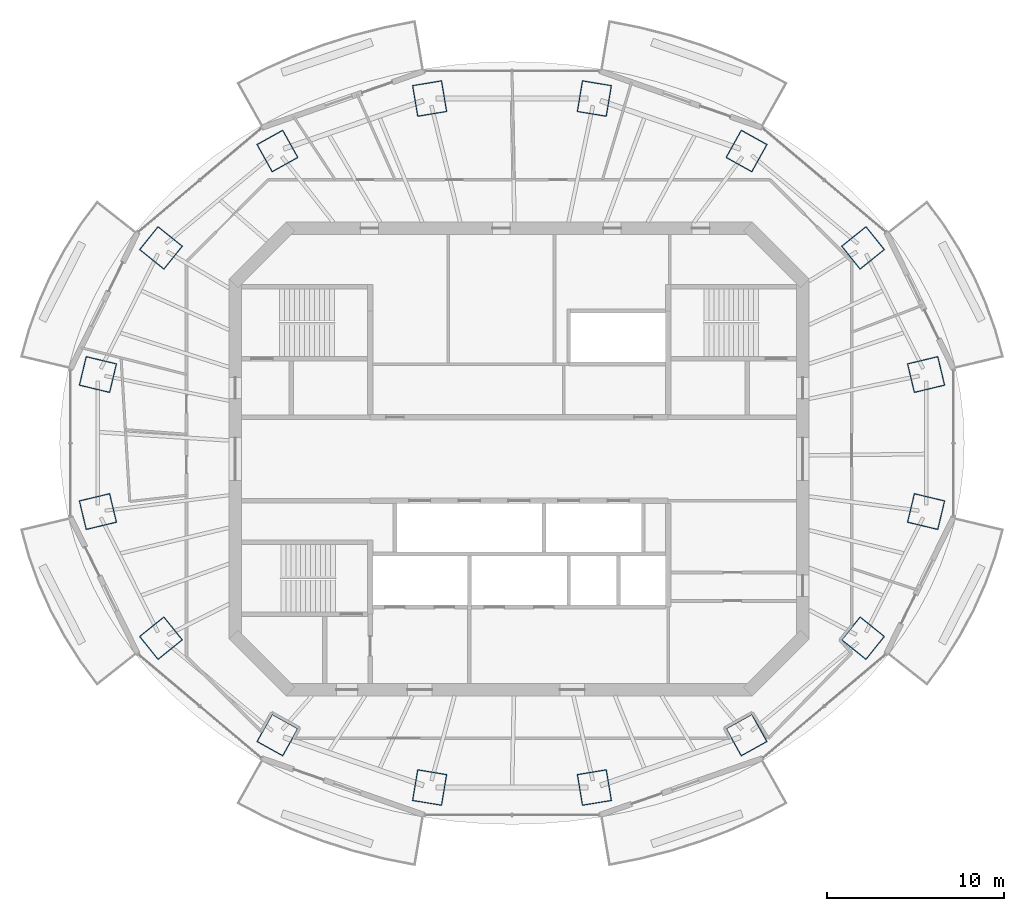
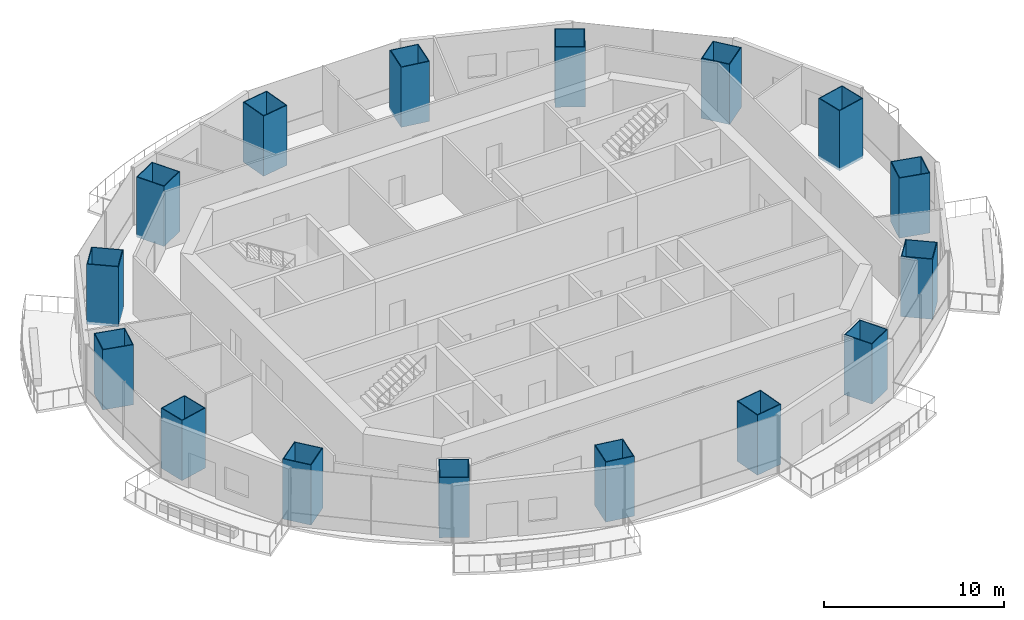
# One storey, part 1 of 14: 16 columns.
"""IFC4 building model written with IfcOpenShell, lengths in metres."""

from ifc_helpers import new_model, si_unit, direction, frame, origin, origin_2d, place, context, subcontext, project, spatial, rectangle, hollow_rectangle, extrude, material, material_profile, profile_set, type_object, element, save


model = new_model("IFC4")

# Units and contexts
model_context = context("Model", 3, precision=1e-05, world=origin(), true_north=direction((0.0, 1.0)))
body_context = subcontext(model_context, "Body", "Model", "MODEL_VIEW")
ifc_project = project(units=[si_unit("LENGTHUNIT", "METRE"), si_unit("AREAUNIT", "SQUARE_METRE"), si_unit("VOLUMEUNIT", "CUBIC_METRE"), si_unit("PLANEANGLEUNIT", "RADIAN"), si_unit("MASSUNIT", "GRAM", prefix="KILO")], contexts=[model_context])

# Site, building, storey
site_placement = place(None, origin())
site = spatial("IfcSite", under=ifc_project, at=site_placement, CompositionType="ELEMENT")
building_placement = place(site_placement, origin())
building = spatial("IfcBuilding", under=site, at=building_placement, Name="Marenthal Gate Tower", CompositionType="ELEMENT")
storey_placement = place(building_placement, frame((0.0, 0.0, 392.39990234375)))
storey = spatial("IfcBuildingStorey", under=building, at=storey_placement, Name="L89", CompositionType="ELEMENT", Elevation=392.39990234375)

# Columns
ifc_material_1 = material(Name="Steel S460", Category="steel")
ifc_material_profile_1 = material_profile(ifc_material_1, hollow_rectangle(XDim=1.699951171875, YDim=1.800048828125, WallThickness=0.050048828125, at=origin_2d()), Name="CFT BOX 1800X1700X50")
ifc_material_2 = material(Name="Concrete 70 MPa", Category="concrete")
ifc_material_profile_2 = material_profile(ifc_material_2, rectangle(XDim=1.60009765625, YDim=1.699951171875, at=origin_2d()), Name="CFT BOX 1800X1700X50 INFILL")
ifc_profile_set = profile_set([ifc_material_profile_1, ifc_material_profile_2], Name="Steel S460 shell, Concrete 70 MPa infill")
column_type = type_object("IfcColumnType", Name="CFT BOX 1800X1700X50", PredefinedType="COLUMN", material=ifc_profile_set)
for number, where, z_axis, x_axis, name in (
    (1, (22.942626953125, 4.7626953125, -0.179931640625), (0.0, 0.0, 1.0), (0.23254240314, -0.972586258767, 0.0), "COL-L89-01"),
    (2, (19.388916015625, 11.900390625, -0.179931640625), (0.0, 0.0, 1.0), (0.626198386629, -0.779663761235, 0.0), "COL-L89-02"),
    (3, (12.822509765625, 17.363037109375, -0.179931640625), (0.0, 0.0, 1.0), (0.874036923868, -0.485859502032, 0.0), "COL-L89-03"),
    (4, (4.2431640625, 20.319580078125, -0.179931640625), (0.0, 0.0, 1.0), (0.98658270668, -0.163262251851, 0.0), "COL-L89-04"),
    (5, (-5.043212890625, 20.319580078125, -0.179931640625), (0.0, 0.0, 1.0), (0.98658270668, 0.163262251851, 0.0), "COL-L89-05"),
    (6, (-13.62255859375, 17.363037109375, -0.179931640625), (0.0, 0.0, 1.0), (0.874036923868, 0.485859502032, 0.0), "COL-L89-06"),
    (7, (-20.18896484375, 11.900390625, -0.179931640625), (0.0, 0.0, 1.0), (0.626198386629, 0.779663761235, 0.0), "COL-L89-07"),
    (8, (-23.74267578125, 4.7626953125, -0.179931640625), (0.0, 0.0, 1.0), (0.23254240314, 0.972586258767, 0.0), "COL-L89-08"),
    (9, (-23.74267578125, -2.962890625, -0.179931640625), (0.0, 0.0, 1.0), (-0.23254240314, 0.972586258767, 0.0), "COL-L89-09"),
    (10, (-20.18896484375, -10.100341796875, -0.179931640625), (0.0, 0.0, 1.0), (-0.626198386629, 0.779663761235, 0.0), "COL-L89-10"),
    (11, (-13.62255859375, -15.56298828125, -0.179931640625), (0.0, 0.0, 1.0), (-0.874036923868, 0.485859502032, 0.0), "COL-L89-11"),
    (12, (-5.043212890625, -18.51953125, -0.179931640625), (0.0, 0.0, 1.0), (-0.98658270668, 0.163262251851, 0.0), "COL-L89-12"),
    (13, (4.2431640625, -18.51953125, -0.179931640625), (0.0, 0.0, 1.0), (-0.98658270668, -0.163262251851, 0.0), "COL-L89-13"),
    (14, (12.822509765625, -15.56298828125, -0.179931640625), (0.0, 0.0, 1.0), (-0.874036923868, -0.485859502032, 0.0), "COL-L89-14"),
    (15, (19.388916015625, -10.100341796875, -0.179931640625), (0.0, 0.0, 1.0), (-0.626198386629, -0.779663761235, 0.0), "COL-L89-15"),
    (16, (22.942626953125, -2.962890625, -0.179931640625), (0.0, 0.0, 1.0), (-0.23254240314, -0.972586258767, 0.0), "COL-L89-16"),
):
    element("IfcColumn", number, at=place(storey_placement, frame(where, z_axis=z_axis, x_axis=x_axis)), inside=storey, type_object=column_type, Name=name, PredefinedType="COLUMN", context=body_context, shape_type="SweptSolid", body=[
        extrude(hollow_rectangle(XDim=1.699951171875, YDim=1.800048828125, WallThickness=0.050048828125, at=origin_2d()), origin(), (0.0, 0.0, 1.0), 4.080078125),
    ])

save(model, "model.ifc")
